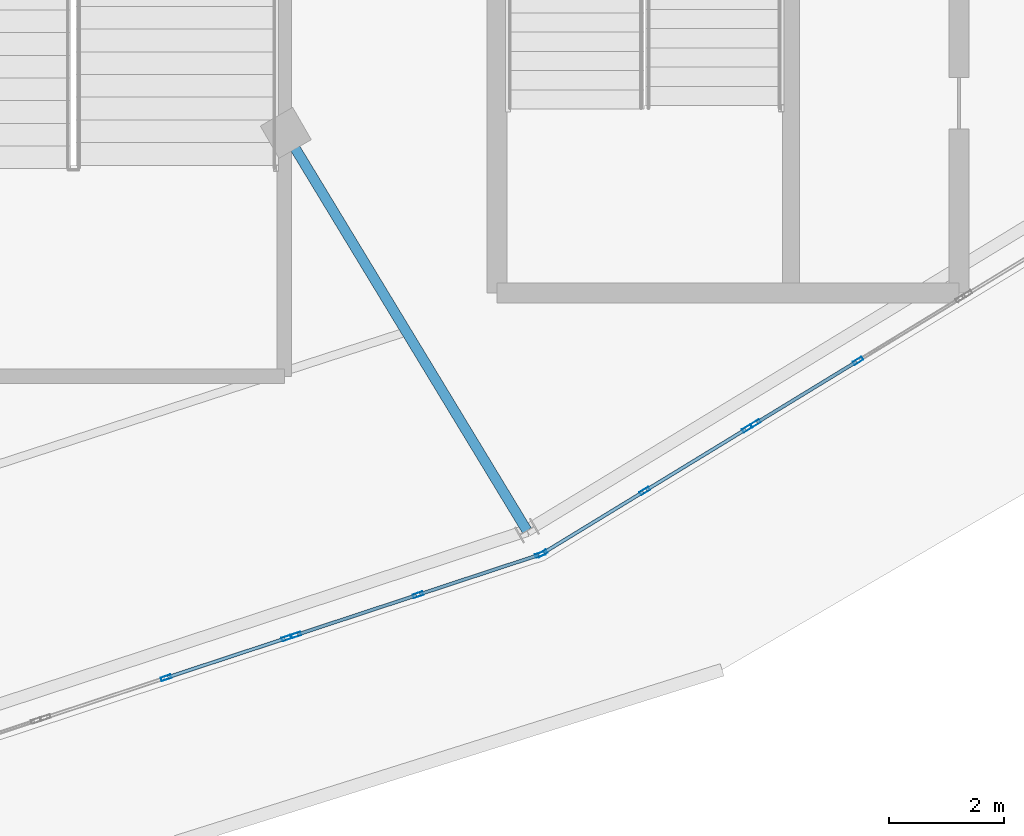
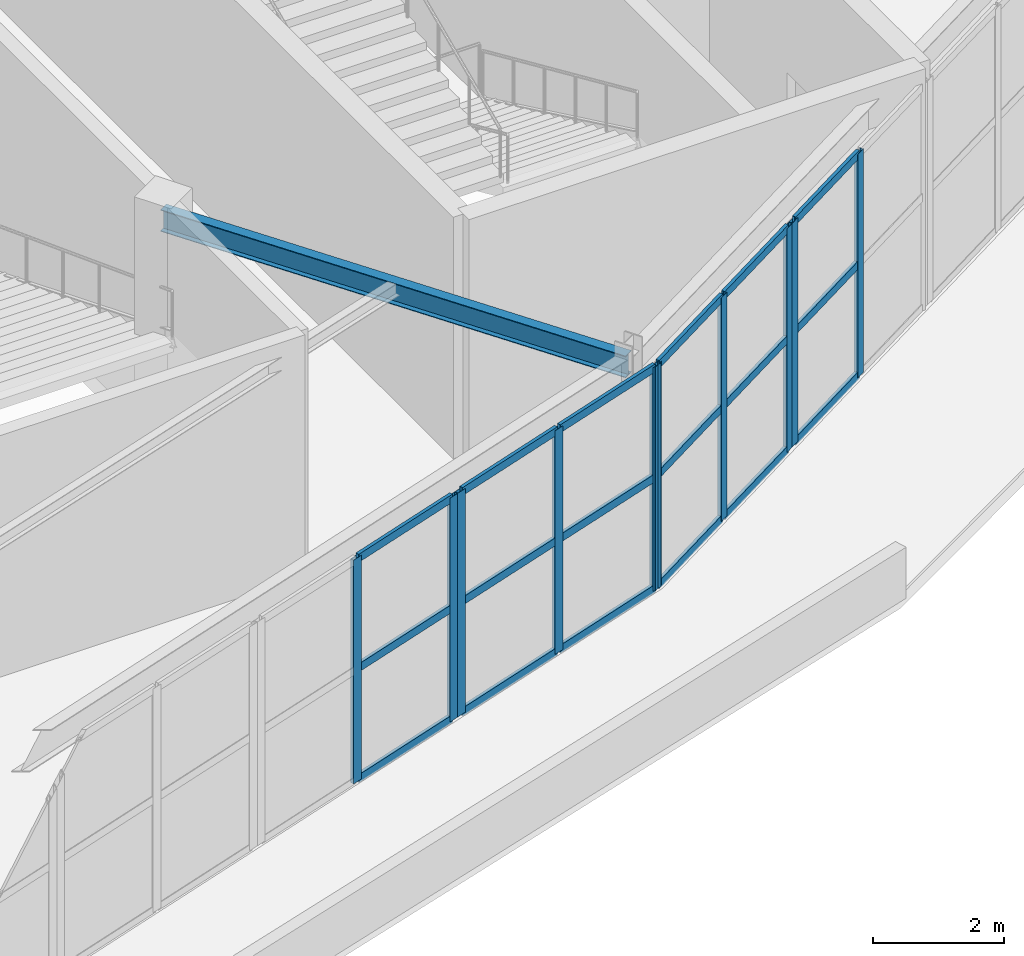
# One storey, part 46 of 126: 28 members, 1 beam, 4 elements without a shape of their own.
"""IFC4 building model written with IfcOpenShell, lengths in metres."""

from ifc_helpers import new_model, si_unit, direction, frame, origin, origin_2d, place, context, subcontext, project, spatial, hollow_rectangle, i_section, extrude, material, layer, layer_set, material_profile, profile_set, type_object, element, aggregate, save


model = new_model("IFC4")

# Units and contexts
model_context = context("Model", 3, precision=1e-05, world=origin(), true_north=direction((0.0, 1.0)))
body_context = subcontext(model_context, "Body", "Model", "MODEL_VIEW")
ifc_project = project(units=[si_unit("LENGTHUNIT", "METRE"), si_unit("AREAUNIT", "SQUARE_METRE"), si_unit("VOLUMEUNIT", "CUBIC_METRE"), si_unit("PLANEANGLEUNIT", "RADIAN"), si_unit("MASSUNIT", "GRAM", prefix="KILO")], contexts=[model_context])

# Site, building, storey
site_placement = place(None, origin())
site = spatial("IfcSite", under=ifc_project, at=site_placement, CompositionType="ELEMENT")
building_placement = place(site_placement, origin())
building = spatial("IfcBuilding", under=site, at=building_placement, Name="Kalgoora Escarpment Arena", CompositionType="ELEMENT")
storey_placement = place(building_placement, frame((0.0, 0.0, 18.89990234375)))
storey = spatial("IfcBuildingStorey", under=building, at=storey_placement, Name="L04", CompositionType="ELEMENT", Elevation=18.89990234375)

# Beam
ifc_material_1 = material(Name="Structural steel AS/NZS 3679 (300 MPa)", Category="steel")
ifc_material_profile_1 = material_profile(ifc_material_1, i_section(OverallWidth=0.177978515625, OverallDepth=0.406005859375, WebThickness=0.0078125, FlangeThickness=0.0126953125, at=origin_2d()))
ifc_profile_set_1 = profile_set([ifc_material_profile_1], Name="Structural steel AS/NZS 3679 (300 MPa)")
beam_type = type_object("IfcBeamType", Name="BM-GIRDER-410UB59.7", PredefinedType="USERDEFINED", material=ifc_profile_set_1)
beam_placement = place(storey_placement, frame((124.10009765625, 21.564697265625, 4.027099609375), z_axis=(0.518407902139, -0.85513346736, 0.0), x_axis=(0.85513346736, 0.518407902139, 0.0)))
element("IfcBeam", 1, at=beam_placement, inside=storey, type_object=beam_type, Name="L04 Radial concourse girder 410UB59.7", ObjectType="GIRDER", PredefinedType="USERDEFINED", context=body_context, shape_type="SweptSolid", body=[
    extrude(i_section(OverallWidth=0.177978515625, OverallDepth=0.406005859375, WebThickness=0.0078125, FlangeThickness=0.0126953125, at=origin_2d()), origin(), (0.0, 0.0, 1.0), 8.1015625),
])

# Curtain wall, members
ifc_material_2 = material(Name=" Champagne anodised aluminium & double-glazed low-E", Category="aluminium")
ifc_layer_1 = layer(ifc_material_2, 0.14990234375)
ifc_layer_set_1 = layer_set([ifc_layer_1], Name="CW-UNIT-05")
curtain_wall_type_1 = type_object("IfcCurtainWallType", Name="CW-UNIT-05", PredefinedType="NOTDEFINED", material=ifc_layer_set_1)
curtain_wall_1_placement = place(storey_placement, origin())
curtain_wall_1 = element("IfcCurtainWall", 2, at=curtain_wall_1_placement, inside=storey, type_object=curtain_wall_type_1, Name="L04 unitised facade curtain wall 104", PredefinedType="NOTDEFINED")
ifc_material_3 = material(Name="Anodised aluminium 6063-T6", Category="aluminium")
ifc_material_profile_2 = material_profile(ifc_material_3, hollow_rectangle(XDim=0.06494140625, YDim=0.179931640625, WallThickness=0.00390625, at=origin_2d()))
ifc_profile_set_2 = profile_set([ifc_material_profile_2], Name="Anodised aluminium 6063-T6")
member_type_1 = type_object("IfcMemberType", Name="MEM-CW-MULL-180", PredefinedType="MULLION", material=ifc_profile_set_2)
member_1_placement = place(storey_placement, frame((134.066650390625, 17.5947265625, 0.02001953125), z_axis=(0.0, 0.0, 1.0), x_axis=(0.521048501858, -0.853527069701, 0.0)))
member_1 = element("IfcMember", 3, at=member_1_placement, type_object=member_type_1, Name="CW-05 mullion 2", PredefinedType="MULLION", context=body_context, shape_type="SweptSolid", body=[
    extrude(hollow_rectangle(XDim=0.06494140625, YDim=0.179931640625, WallThickness=0.00390625, at=origin_2d()), origin(), (0.0, 0.0, 1.0), 4.170166015625),
])
member_2_placement = place(storey_placement, frame((132.27978515625, 16.50390625, 0.02001953125), z_axis=(0.0, 0.0, 1.0), x_axis=(0.521048501858, -0.853527069701, 0.0)))
member_2 = element("IfcMember", 4, at=member_2_placement, type_object=member_type_1, Name="CW-05 mullion 3", PredefinedType="MULLION", context=body_context, shape_type="SweptSolid", body=[
    extrude(hollow_rectangle(XDim=0.06494140625, YDim=0.179931640625, WallThickness=0.00390625, at=origin_2d()), origin(), (0.0, 0.0, 1.0), 4.170166015625),
])

ifc_material_4 = material(Name=" Champagne anodised aluminium & double-glazed low-E", Category="aluminium")
ifc_layer_2 = layer(ifc_material_4, 0.154052734375)
ifc_layer_set_2 = layer_set([ifc_layer_2], Name="CW-UNIT-06")
curtain_wall_type_2 = type_object("IfcCurtainWallType", Name="CW-UNIT-06", PredefinedType="NOTDEFINED", material=ifc_layer_set_2)
curtain_wall_2_placement = place(storey_placement, origin())
curtain_wall_2 = element("IfcCurtainWall", 5, at=curtain_wall_2_placement, inside=storey, type_object=curtain_wall_type_2, Name="L04 unitised facade curtain wall 105", PredefinedType="NOTDEFINED")
member_3_placement = place(storey_placement, frame((132.138916015625, 16.41796875, 0.02001953125), z_axis=(0.0, 0.0, 1.0), x_axis=(0.521058961304, -0.853520684485, 0.0)))
member_3 = element("IfcMember", 6, at=member_3_placement, type_object=member_type_1, Name="CW-06 mullion 1", PredefinedType="MULLION", context=body_context, shape_type="SweptSolid", body=[
    extrude(hollow_rectangle(XDim=0.06494140625, YDim=0.179931640625, WallThickness=0.00390625, at=origin_2d()), origin(), (0.0, 0.0, 1.0), 4.170166015625),
])
member_4_placement = place(storey_placement, frame((130.35205078125, 15.3271484375, 0.02001953125), z_axis=(0.0, 0.0, 1.0), x_axis=(0.521058961304, -0.853520684485, 0.0)))
member_4 = element("IfcMember", 7, at=member_4_placement, type_object=member_type_1, Name="CW-06 mullion 2", PredefinedType="MULLION", context=body_context, shape_type="SweptSolid", body=[
    extrude(hollow_rectangle(XDim=0.06494140625, YDim=0.179931640625, WallThickness=0.00390625, at=origin_2d()), origin(), (0.0, 0.0, 1.0), 4.170166015625),
])
member_5_placement = place(storey_placement, frame((128.565185546875, 14.236328125, 0.02001953125), z_axis=(0.0, 0.0, 1.0), x_axis=(0.521058961304, -0.853520684485, 0.0)))
member_5 = element("IfcMember", 8, at=member_5_placement, type_object=member_type_1, Name="CW-06 mullion 3", PredefinedType="MULLION", context=body_context, shape_type="SweptSolid", body=[
    extrude(hollow_rectangle(XDim=0.06494140625, YDim=0.179931640625, WallThickness=0.00390625, at=origin_2d()), origin(), (0.0, 0.0, 1.0), 4.170166015625),
])

ifc_material_5 = material(Name=" Champagne anodised aluminium & double-glazed low-E", Category="aluminium")
ifc_layer_3 = layer(ifc_material_5, 0.157958984375)
ifc_layer_set_3 = layer_set([ifc_layer_3], Name="CW-UNIT-07")
curtain_wall_type_3 = type_object("IfcCurtainWallType", Name="CW-UNIT-07", PredefinedType="NOTDEFINED", material=ifc_layer_set_3)
curtain_wall_3_placement = place(storey_placement, origin())
curtain_wall_3 = element("IfcCurtainWall", 9, at=curtain_wall_3_placement, inside=storey, type_object=curtain_wall_type_3, Name="L04 unitised facade curtain wall 106", PredefinedType="NOTDEFINED")
member_6_placement = place(storey_placement, frame((128.531494140625, 14.220703125, 0.02001953125), z_axis=(0.0, 0.0, 1.0), x_axis=(0.312985861452, -0.949757785191, 0.0)))
member_6 = element("IfcMember", 10, at=member_6_placement, type_object=member_type_1, Name="CW-07 mullion 1", PredefinedType="MULLION", context=body_context, shape_type="SweptSolid", body=[
    extrude(hollow_rectangle(XDim=0.06494140625, YDim=0.179931640625, WallThickness=0.00390625, at=origin_2d()), origin(), (0.0, 0.0, 1.0), 4.170166015625),
])
member_7_placement = place(storey_placement, frame((126.403564453125, 13.51953125, 0.02001953125), z_axis=(0.0, 0.0, 1.0), x_axis=(0.312985861452, -0.949757785191, 0.0)))
member_7 = element("IfcMember", 11, at=member_7_placement, type_object=member_type_1, Name="CW-07 mullion 2", PredefinedType="MULLION", context=body_context, shape_type="SweptSolid", body=[
    extrude(hollow_rectangle(XDim=0.06494140625, YDim=0.179931640625, WallThickness=0.00390625, at=origin_2d()), origin(), (0.0, 0.0, 1.0), 4.170166015625),
])
member_8_placement = place(storey_placement, frame((124.275390625, 12.818115234375, 0.02001953125), z_axis=(0.0, 0.0, 1.0), x_axis=(0.312985861452, -0.949757785191, 0.0)))
member_8 = element("IfcMember", 12, at=member_8_placement, type_object=member_type_1, Name="CW-07 mullion 3", PredefinedType="MULLION", context=body_context, shape_type="SweptSolid", body=[
    extrude(hollow_rectangle(XDim=0.06494140625, YDim=0.179931640625, WallThickness=0.00390625, at=origin_2d()), origin(), (0.0, 0.0, 1.0), 4.170166015625),
])

ifc_material_6 = material(Name=" Champagne anodised aluminium & double-glazed low-E", Category="aluminium")
ifc_layer_4 = layer(ifc_material_6, 0.162109375)
ifc_layer_set_4 = layer_set([ifc_layer_4], Name="CW-UNIT-08")
curtain_wall_type_4 = type_object("IfcCurtainWallType", Name="CW-UNIT-08", PredefinedType="NOTDEFINED", material=ifc_layer_set_4)
curtain_wall_4_placement = place(storey_placement, origin())
curtain_wall_4 = element("IfcCurtainWall", 13, at=curtain_wall_4_placement, inside=storey, type_object=curtain_wall_type_4, Name="L04 unitised facade curtain wall 107", PredefinedType="NOTDEFINED")
member_9_placement = place(storey_placement, frame((124.11865234375, 12.7666015625, 0.02001953125), z_axis=(0.0, 0.0, 1.0), x_axis=(0.312989939956, -0.94975644114, 0.0)))
member_9 = element("IfcMember", 14, at=member_9_placement, type_object=member_type_1, Name="CW-08 mullion 1", PredefinedType="MULLION", context=body_context, shape_type="SweptSolid", body=[
    extrude(hollow_rectangle(XDim=0.06494140625, YDim=0.179931640625, WallThickness=0.00390625, at=origin_2d()), origin(), (0.0, 0.0, 1.0), 4.170166015625),
])
member_10_placement = place(storey_placement, frame((122.014404296875, 12.072998046875, 0.02001953125), z_axis=(0.0, 0.0, 1.0), x_axis=(0.312989939956, -0.94975644114, 0.0)))
member_10 = element("IfcMember", 15, at=member_10_placement, type_object=member_type_1, Name="CW-08 mullion 2", PredefinedType="MULLION", context=body_context, shape_type="SweptSolid", body=[
    extrude(hollow_rectangle(XDim=0.06494140625, YDim=0.179931640625, WallThickness=0.00390625, at=origin_2d()), origin(), (0.0, 0.0, 1.0), 4.170166015625),
])

# Member
ifc_material_7 = material(Name="Anodised aluminium 6063-T6", Category="aluminium")
ifc_material_profile_3 = material_profile(ifc_material_7, hollow_rectangle(XDim=0.06005859375, YDim=0.14990234375, WallThickness=0.00341796875, at=origin_2d()))
ifc_profile_set_3 = profile_set([ifc_material_profile_3], Name="Anodised aluminium 6063-T6")
member_type_2 = type_object("IfcMemberType", Name="MEM-CW-TRAN-150", PredefinedType="USERDEFINED", material=ifc_profile_set_3)
member_11_placement = place(storey_placement, frame((134.038818359375, 17.57763671875, 0.050048828125), z_axis=(-0.853549474663, -0.521011798621, 0.0), x_axis=(0.521011798621, -0.853549474663, 0.0)))
member_11 = element("IfcMember", 16, at=member_11_placement, type_object=member_type_2, Name="CW-05 transom 2.1", ObjectType="TRANSOM", PredefinedType="USERDEFINED", context=body_context, shape_type="SweptSolid", body=[
    extrude(hollow_rectangle(XDim=0.06005859375, YDim=0.14990234375, WallThickness=0.00341796875, at=origin_2d()), origin(), (0.0, 0.0, 1.0), 2.028564453125),
])

member_12_placement = place(storey_placement, frame((134.038818359375, 17.57763671875, 2.114990234375), z_axis=(-0.853549474663, -0.521011798621, 0.0), x_axis=(0.521011798621, -0.853549474663, 0.0)))
member_12 = element("IfcMember", 17, at=member_12_placement, type_object=member_type_2, Name="CW-05 transom 2.2", ObjectType="TRANSOM", PredefinedType="USERDEFINED", context=body_context, shape_type="SweptSolid", body=[
    extrude(hollow_rectangle(XDim=0.06005859375, YDim=0.14990234375, WallThickness=0.00341796875, at=origin_2d()), origin(), (0.0, 0.0, 1.0), 2.028564453125),
])

member_13_placement = place(storey_placement, frame((134.038818359375, 17.57763671875, 4.16015625), z_axis=(-0.853549474663, -0.521011798621, 0.0), x_axis=(0.521011798621, -0.853549474663, 0.0)))
member_13 = element("IfcMember", 18, at=member_13_placement, type_object=member_type_2, Name="CW-05 transom 2.3", ObjectType="TRANSOM", PredefinedType="USERDEFINED", context=body_context, shape_type="SweptSolid", body=[
    extrude(hollow_rectangle(XDim=0.06005859375, YDim=0.14990234375, WallThickness=0.00341796875, at=origin_2d()), origin(), (0.0, 0.0, 1.0), 2.028564453125),
])

aggregate(curtain_wall_1, [member_1, member_2, member_11, member_12, member_13])

member_14_placement = place(storey_placement, frame((132.111083984375, 16.40087890625, 0.050048828125), z_axis=(-0.853516799181, -0.521065325575, 0.0), x_axis=(0.521065325575, -0.853516799181, 0.0)))
member_14 = element("IfcMember", 19, at=member_14_placement, type_object=member_type_2, Name="CW-06 transom 1.1", ObjectType="TRANSOM", PredefinedType="USERDEFINED", context=body_context, shape_type="SweptSolid", body=[
    extrude(hollow_rectangle(XDim=0.06005859375, YDim=0.14990234375, WallThickness=0.00341796875, at=origin_2d()), origin(), (0.0, 0.0, 1.0), 2.0283203125),
])

member_15_placement = place(storey_placement, frame((132.111083984375, 16.40087890625, 2.114990234375), z_axis=(-0.853516799181, -0.521065325575, 0.0), x_axis=(0.521065325575, -0.853516799181, 0.0)))
member_15 = element("IfcMember", 20, at=member_15_placement, type_object=member_type_2, Name="CW-06 transom 1.2", ObjectType="TRANSOM", PredefinedType="USERDEFINED", context=body_context, shape_type="SweptSolid", body=[
    extrude(hollow_rectangle(XDim=0.06005859375, YDim=0.14990234375, WallThickness=0.00341796875, at=origin_2d()), origin(), (0.0, 0.0, 1.0), 2.0283203125),
])

member_16_placement = place(storey_placement, frame((132.111083984375, 16.40087890625, 4.16015625), z_axis=(-0.853516799181, -0.521065325575, 0.0), x_axis=(0.521065325575, -0.853516799181, 0.0)))
member_16 = element("IfcMember", 21, at=member_16_placement, type_object=member_type_2, Name="CW-06 transom 1.3", ObjectType="TRANSOM", PredefinedType="USERDEFINED", context=body_context, shape_type="SweptSolid", body=[
    extrude(hollow_rectangle(XDim=0.06005859375, YDim=0.14990234375, WallThickness=0.00341796875, at=origin_2d()), origin(), (0.0, 0.0, 1.0), 2.0283203125),
])

member_17_placement = place(storey_placement, frame((130.32421875, 15.31005859375, 0.050048828125), z_axis=(-0.853516799181, -0.521065325575, 0.0), x_axis=(0.521065325575, -0.853516799181, 0.0)))
member_17 = element("IfcMember", 22, at=member_17_placement, type_object=member_type_2, Name="CW-06 transom 2.1", ObjectType="TRANSOM", PredefinedType="USERDEFINED", context=body_context, shape_type="SweptSolid", body=[
    extrude(hollow_rectangle(XDim=0.06005859375, YDim=0.14990234375, WallThickness=0.00341796875, at=origin_2d()), origin(), (0.0, 0.0, 1.0), 2.0283203125),
])

member_18_placement = place(storey_placement, frame((130.32421875, 15.31005859375, 2.114990234375), z_axis=(-0.853516799181, -0.521065325575, 0.0), x_axis=(0.521065325575, -0.853516799181, 0.0)))
member_18 = element("IfcMember", 23, at=member_18_placement, type_object=member_type_2, Name="CW-06 transom 2.2", ObjectType="TRANSOM", PredefinedType="USERDEFINED", context=body_context, shape_type="SweptSolid", body=[
    extrude(hollow_rectangle(XDim=0.06005859375, YDim=0.14990234375, WallThickness=0.00341796875, at=origin_2d()), origin(), (0.0, 0.0, 1.0), 2.0283203125),
])

member_19_placement = place(storey_placement, frame((130.32421875, 15.31005859375, 4.16015625), z_axis=(-0.853516799181, -0.521065325575, 0.0), x_axis=(0.521065325575, -0.853516799181, 0.0)))
member_19 = element("IfcMember", 24, at=member_19_placement, type_object=member_type_2, Name="CW-06 transom 2.3", ObjectType="TRANSOM", PredefinedType="USERDEFINED", context=body_context, shape_type="SweptSolid", body=[
    extrude(hollow_rectangle(XDim=0.06005859375, YDim=0.14990234375, WallThickness=0.00341796875, at=origin_2d()), origin(), (0.0, 0.0, 1.0), 2.0283203125),
])

aggregate(curtain_wall_2, [member_3, member_4, member_5, member_14, member_15, member_16, member_17, member_18, member_19])

member_20_placement = place(storey_placement, frame((128.500732421875, 14.21044921875, 0.050048828125), z_axis=(-0.949766139008, -0.312960510597, 0.0), x_axis=(0.312960510597, -0.949766139008, 0.0)))
member_20 = element("IfcMember", 25, at=member_20_placement, type_object=member_type_2, Name="CW-07 transom 1.1", ObjectType="TRANSOM", PredefinedType="USERDEFINED", context=body_context, shape_type="SweptSolid", body=[
    extrude(hollow_rectangle(XDim=0.06005859375, YDim=0.14990234375, WallThickness=0.00341796875, at=origin_2d()), origin(), (0.0, 0.0, 1.0), 2.17578125),
])

member_21_placement = place(storey_placement, frame((128.500732421875, 14.21044921875, 2.114990234375), z_axis=(-0.949766139008, -0.312960510597, 0.0), x_axis=(0.312960510597, -0.949766139008, 0.0)))
member_21 = element("IfcMember", 26, at=member_21_placement, type_object=member_type_2, Name="CW-07 transom 1.2", ObjectType="TRANSOM", PredefinedType="USERDEFINED", context=body_context, shape_type="SweptSolid", body=[
    extrude(hollow_rectangle(XDim=0.06005859375, YDim=0.14990234375, WallThickness=0.00341796875, at=origin_2d()), origin(), (0.0, 0.0, 1.0), 2.17578125),
])

member_22_placement = place(storey_placement, frame((128.500732421875, 14.21044921875, 4.16015625), z_axis=(-0.949766139008, -0.312960510597, 0.0), x_axis=(0.312960510597, -0.949766139008, 0.0)))
member_22 = element("IfcMember", 27, at=member_22_placement, type_object=member_type_2, Name="CW-07 transom 1.3", ObjectType="TRANSOM", PredefinedType="USERDEFINED", context=body_context, shape_type="SweptSolid", body=[
    extrude(hollow_rectangle(XDim=0.06005859375, YDim=0.14990234375, WallThickness=0.00341796875, at=origin_2d()), origin(), (0.0, 0.0, 1.0), 2.17578125),
])

member_23_placement = place(storey_placement, frame((126.37255859375, 13.50927734375, 0.050048828125), z_axis=(-0.949755146684, -0.312993867907, 0.0), x_axis=(0.312993867907, -0.949755146684, 0.0)))
member_23 = element("IfcMember", 28, at=member_23_placement, type_object=member_type_2, Name="CW-07 transom 2.1", ObjectType="TRANSOM", PredefinedType="USERDEFINED", context=body_context, shape_type="SweptSolid", body=[
    extrude(hollow_rectangle(XDim=0.06005859375, YDim=0.14990234375, WallThickness=0.00341796875, at=origin_2d()), origin(), (0.0, 0.0, 1.0), 2.175537109375),
])

member_24_placement = place(storey_placement, frame((126.37255859375, 13.50927734375, 2.114990234375), z_axis=(-0.949755146684, -0.312993867907, 0.0), x_axis=(0.312993867907, -0.949755146684, 0.0)))
member_24 = element("IfcMember", 29, at=member_24_placement, type_object=member_type_2, Name="CW-07 transom 2.2", ObjectType="TRANSOM", PredefinedType="USERDEFINED", context=body_context, shape_type="SweptSolid", body=[
    extrude(hollow_rectangle(XDim=0.06005859375, YDim=0.14990234375, WallThickness=0.00341796875, at=origin_2d()), origin(), (0.0, 0.0, 1.0), 2.175537109375),
])

member_25_placement = place(storey_placement, frame((126.37255859375, 13.50927734375, 4.16015625), z_axis=(-0.949755146684, -0.312993867907, 0.0), x_axis=(0.312993867907, -0.949755146684, 0.0)))
member_25 = element("IfcMember", 30, at=member_25_placement, type_object=member_type_2, Name="CW-07 transom 2.3", ObjectType="TRANSOM", PredefinedType="USERDEFINED", context=body_context, shape_type="SweptSolid", body=[
    extrude(hollow_rectangle(XDim=0.06005859375, YDim=0.14990234375, WallThickness=0.00341796875, at=origin_2d()), origin(), (0.0, 0.0, 1.0), 2.175537109375),
])

aggregate(curtain_wall_3, [member_6, member_7, member_8, member_20, member_21, member_22, member_23, member_24, member_25])

member_26_placement = place(storey_placement, frame((124.087890625, 12.75634765625, 0.050048828125), z_axis=(-0.949767394709, -0.312956699798, 0.0), x_axis=(0.312956699798, -0.949767394709, 0.0)))
member_26 = element("IfcMember", 31, at=member_26_placement, type_object=member_type_2, Name="CW-08 transom 1.1", ObjectType="TRANSOM", PredefinedType="USERDEFINED", context=body_context, shape_type="SweptSolid", body=[
    extrude(hollow_rectangle(XDim=0.06005859375, YDim=0.14990234375, WallThickness=0.00341796875, at=origin_2d()), origin(), (0.0, 0.0, 1.0), 2.15087890625),
])

member_27_placement = place(storey_placement, frame((124.087890625, 12.75634765625, 2.114990234375), z_axis=(-0.949767394709, -0.312956699798, 0.0), x_axis=(0.312956699798, -0.949767394709, 0.0)))
member_27 = element("IfcMember", 32, at=member_27_placement, type_object=member_type_2, Name="CW-08 transom 1.2", ObjectType="TRANSOM", PredefinedType="USERDEFINED", context=body_context, shape_type="SweptSolid", body=[
    extrude(hollow_rectangle(XDim=0.06005859375, YDim=0.14990234375, WallThickness=0.00341796875, at=origin_2d()), origin(), (0.0, 0.0, 1.0), 2.15087890625),
])

member_28_placement = place(storey_placement, frame((124.087890625, 12.75634765625, 4.16015625), z_axis=(-0.949767394709, -0.312956699798, 0.0), x_axis=(0.312956699798, -0.949767394709, 0.0)))
member_28 = element("IfcMember", 33, at=member_28_placement, type_object=member_type_2, Name="CW-08 transom 1.3", ObjectType="TRANSOM", PredefinedType="USERDEFINED", context=body_context, shape_type="SweptSolid", body=[
    extrude(hollow_rectangle(XDim=0.06005859375, YDim=0.14990234375, WallThickness=0.00341796875, at=origin_2d()), origin(), (0.0, 0.0, 1.0), 2.15087890625),
])

aggregate(curtain_wall_4, [member_9, member_10, member_26, member_27, member_28])

save(model, "model.ifc")
